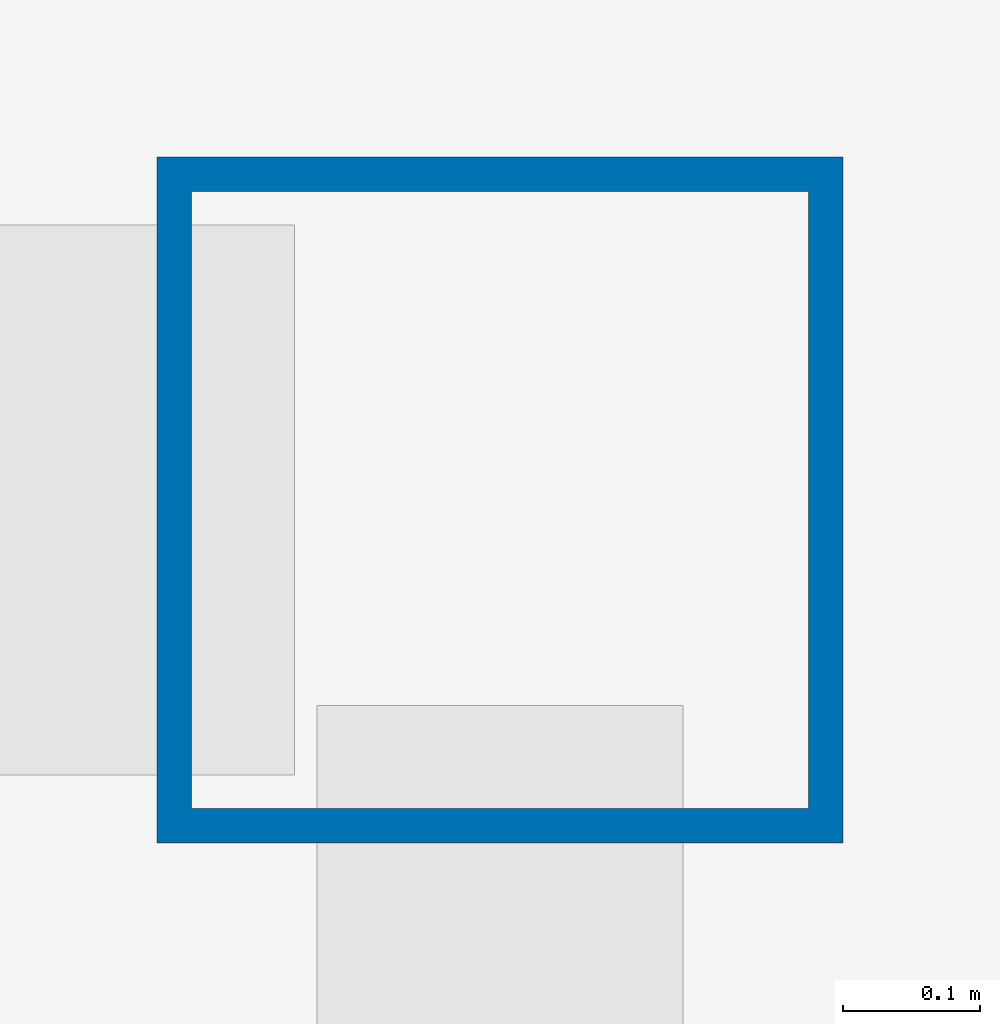
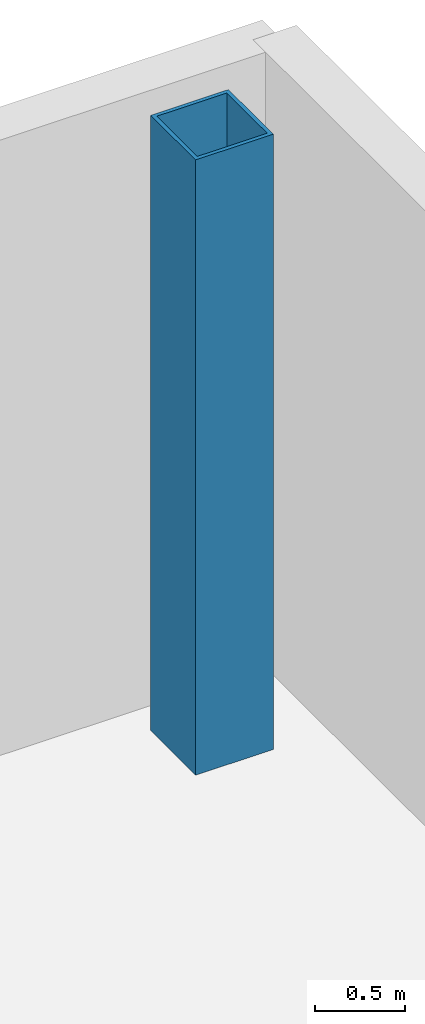
# One storey, part 5 of 26: 1 column.
"""IFC4 building model written with IfcOpenShell, lengths in metres."""

import ifcopenshell
import ifcopenshell.guid

model = None  # the IFC model being written
_history = None  # IfcOwnerHistory: only IFC2X3 demands one
_inside = {}  # id of a spatial element -> (the spatial element, [elements in it])
_under = {}  # id of a project, library or spatial element -> (it, [spatial elements below it])
_declared = {}  # id of a project -> (the project, [libraries it declares])
_typed = {}  # id of a type object -> (the type object, [elements of that type])
_made_of = {}  # id of a material, layer set ... -> (it, [elements and type objects made of it])


def new_model(schema):
    """Start an empty IFC model of exactly this schema.

    Asked for "IFC4X3", IfcOpenShell would pick the latest addendum, in which some entities
    have other attributes; the version numbers below select the first issue.
    IFC2X3 requires an IfcOwnerHistory on every rooted entity: one is made here for all.
    """
    global model, _history
    if schema == "IFC4X3":
        model = ifcopenshell.file(schema_version=(4, 3, 0, 0))
    else:
        model = ifcopenshell.file(schema=schema)
    _inside.clear()
    _under.clear()
    _declared.clear()
    _typed.clear()
    _made_of.clear()
    _history = None
    if model.schema == "IFC2X3":
        org = make("IfcOrganization", Name="unknown")
        user = make(
            "IfcPersonAndOrganization",
            ThePerson=make("IfcPerson", FamilyName="unknown"),
            TheOrganization=org,
        )
        app = make(
            "IfcApplication",
            ApplicationDeveloper=org,
            Version="unknown",
            ApplicationFullName="unknown",
            ApplicationIdentifier="unknown",
        )
        _history = make(
            "IfcOwnerHistory",
            OwningUser=user,
            OwningApplication=app,
            ChangeAction="ADDED",
            CreationDate=0,
        )
    return model


def make(cls, **values):
    """One entity of the class cls with the attributes given. An attribute that is None is left unset."""
    return model.create_entity(
        cls, **{name: value for name, value in values.items() if value is not None}
    )


def rooted(cls, **values):
    """An entity with a GlobalId (a new one), such as an element, a storey or a relation."""
    return make(cls, GlobalId=ifcopenshell.guid.new(), OwnerHistory=_history, **values)


def si_unit(unit_type, name, prefix=None):
    """IfcSIUnit, for example si_unit("LENGTHUNIT", "METRE", prefix="MILLI")."""
    return make("IfcSIUnit", UnitType=unit_type, Prefix=prefix, Name=name)


def assignment(units):
    """IfcUnitAssignment: the units of a project."""
    return None if units is None else make("IfcUnitAssignment", Units=units)


def point(xyz):
    """IfcCartesianPoint."""
    return None if xyz is None else make("IfcCartesianPoint", Coordinates=xyz)


def direction(xyz):
    """IfcDirection."""
    return None if xyz is None else make("IfcDirection", DirectionRatios=xyz)


def frame(location, z_axis=None, x_axis=None):
    """IfcAxis2Placement3D, a coordinate frame: its origin and axes. An axis left out is left unset."""
    return make(
        "IfcAxis2Placement3D",
        Location=point(location),
        Axis=direction(z_axis),
        RefDirection=direction(x_axis),
    )


def frame_2d(location, x_axis=None):
    """IfcAxis2Placement2D, a coordinate frame in the plane: its origin and x axis."""
    return make(
        "IfcAxis2Placement2D", Location=point(location), RefDirection=direction(x_axis)
    )


def origin():
    """The frame at (0, 0, 0) with its axes left unset."""
    return frame((0.0, 0.0, 0.0))


def origin_2d():
    """The frame at (0, 0) in the plane with its x axis left unset."""
    return frame_2d((0.0, 0.0))


def place(relative_to, where):
    """IfcLocalPlacement: puts the frame where relative to a parent placement (None: the world)."""
    return make(
        "IfcLocalPlacement", PlacementRelTo=relative_to, RelativePlacement=where
    )


def context(
    kind, dimensions, precision=None, world=None, true_north=None, identifier=None
):
    """IfcGeometricRepresentationContext, for example the 3D "Model" context."""
    return make(
        "IfcGeometricRepresentationContext",
        ContextIdentifier=identifier,
        ContextType=kind,
        CoordinateSpaceDimension=dimensions,
        Precision=precision,
        WorldCoordinateSystem=world,
        TrueNorth=true_north,
    )


def subcontext(parent, identifier, kind, view, scale=None):
    """IfcGeometricRepresentationSubContext, for example "Body" below "Model"."""
    return make(
        "IfcGeometricRepresentationSubContext",
        ContextIdentifier=identifier,
        ContextType=kind,
        ParentContext=parent,
        TargetScale=scale,
        TargetView=view,
    )


def project(units=None, contexts=None):
    """IfcProject with its units and contexts."""
    return rooted(
        "IfcProject",
        Name="project",
        RepresentationContexts=contexts,
        UnitsInContext=assignment(units),
    )


def spatial(cls, under=None, at=None, **own):
    """A site, building, storey or space (cls), placed at a placement, below another one or the project."""
    s = rooted(cls, ObjectPlacement=at, **own)
    if under is not None:
        _under.setdefault(under.id(), (under, []))[1].append(s)
    return s


def profile(cls, at=None, kind="AREA", **sizes):
    """A parametric profile (cls). Its sizes go by their IFC names, for example OverallWidth=200.0."""
    return make(cls, ProfileType=kind, Position=at, **sizes)


def hollow_rectangle(**sizes):
    """IfcRectangleHollowProfileDef."""
    return profile("IfcRectangleHollowProfileDef", **sizes)


def extrude(swept, where, along, depth):
    """IfcExtrudedAreaSolid: the profile swept, set in the frame where, extruded along a direction by depth."""
    return make(
        "IfcExtrudedAreaSolid",
        SweptArea=swept,
        Position=where,
        ExtrudedDirection=direction(along),
        Depth=depth,
    )


def shape(context_of_items, identifier, shape_type, items):
    """IfcShapeRepresentation: the items that make up one representation, for example the "Body"."""
    return make(
        "IfcShapeRepresentation",
        ContextOfItems=context_of_items,
        RepresentationIdentifier=identifier,
        RepresentationType=shape_type,
        Items=items,
    )


def source(mapping_origin, context_of_items, identifier, shape_type, items):
    """IfcRepresentationMap: a shape defined once, which mapped items show again and again."""
    return make(
        "IfcRepresentationMap",
        MappingOrigin=mapping_origin,
        MappedRepresentation=shape(context_of_items, identifier, shape_type, items),
    )


def transform(
    local_origin,
    x_axis=None,
    y_axis=None,
    z_axis=None,
    scale=None,
    scale2=None,
    scale3=None,
    uniform=True,
):
    """IfcCartesianTransformationOperator3D, or its non-uniform kind. x_axis, y_axis, z_axis: its Axis1, 2, 3."""
    if uniform:
        return make(
            "IfcCartesianTransformationOperator3D",
            Axis1=direction(x_axis),
            Axis2=direction(y_axis),
            LocalOrigin=point(local_origin),
            Scale=scale,
            Axis3=direction(z_axis),
        )
    return make(
        "IfcCartesianTransformationOperator3DnonUniform",
        Axis1=direction(x_axis),
        Axis2=direction(y_axis),
        LocalOrigin=point(local_origin),
        Scale=scale,
        Axis3=direction(z_axis),
        Scale2=scale2,
        Scale3=scale3,
    )


def mapped(mapping_source, mapping_target):
    """IfcMappedItem: shows the shape of a source again, moved by a transform."""
    return make(
        "IfcMappedItem", MappingSource=mapping_source, MappingTarget=mapping_target
    )


def material(Name=None, Category=None):
    """IfcMaterial."""
    return make("IfcMaterial", Name=Name, Category=Category)


def material_profile(
    of_material, cross_section, Name=None, Category=None, Priority=None
):
    """IfcMaterialProfile: a cross section and its material."""
    return make(
        "IfcMaterialProfile",
        Name=Name,
        Material=of_material,
        Profile=cross_section,
        Priority=Priority,
        Category=Category,
    )


def profile_set(profiles, Name=None, composite=None):
    """IfcMaterialProfileSet."""
    return make(
        "IfcMaterialProfileSet",
        Name=Name,
        MaterialProfiles=profiles,
        CompositeProfile=composite,
    )


def made_of(thing, what):
    """Note that an element or type object is made of a material, layer set ...; save() writes the relation."""
    if what is not None:
        _made_of.setdefault(what.id(), (what, []))[1].append(thing)
    return thing


def type_object(cls, material=None, **own):
    """A type object (cls), such as IfcWallType, which elements share."""
    return made_of(rooted(cls, **own), material)


def element(
    cls,
    number,
    at=None,
    inside=None,
    cuts=None,
    type_object=None,
    material=None,
    context=None,
    identifier="Body",
    shape_type=None,
    held_by="IfcProductDefinitionShape",
    body=None,
    shapes=None,
    **own,
):
    """One element of the class cls, such as IfcWall. Its Tag is "e" and its number.

    at: its placement. inside: the storey or other place that contains it. cuts: it is an
    opening in that element (IfcRelVoidsElement). A single representation is given by context,
    identifier, shape_type and body (its items); several are given by shapes. held_by: the class
    of the entity that holds the representations. save() writes the other relations.
    """
    e = rooted(cls, Tag="e%d" % number, ObjectPlacement=at, **own)
    if body is not None:
        shapes = [shape(context, identifier, shape_type, body)]
    if shapes is not None:
        e.Representation = make(held_by, Representations=shapes)
    if inside is not None:
        _inside.setdefault(inside.id(), (inside, []))[1].append(e)
    if cuts is not None:
        rooted(
            "IfcRelVoidsElement", RelatingBuildingElement=cuts, RelatedOpeningElement=e
        )
    if type_object is not None:
        _typed.setdefault(type_object.id(), (type_object, []))[1].append(e)
    return made_of(e, material)


def aggregate(whole, parts):
    """IfcRelAggregates: a whole, such as a stair, and the parts it consists of."""
    return rooted("IfcRelAggregates", RelatingObject=whole, RelatedObjects=parts)


def save(model, path):
    """Write the relations noted so far, then the file.

    IfcRelAggregates (storeys below a building ...), IfcRelContainedInSpatialStructure (elements
    in a storey), IfcRelDefinesByType, IfcRelAssociatesMaterial and IfcRelDeclares: one each for
    every whole, place, type object, material and project.
    """
    for whole, parts in _under.values():
        aggregate(whole, parts)
    for where, things in _inside.values():
        rooted(
            "IfcRelContainedInSpatialStructure",
            RelatedElements=things,
            RelatingStructure=where,
        )
    for kind, things in _typed.values():
        rooted("IfcRelDefinesByType", RelatedObjects=things, RelatingType=kind)
    for what, things in _made_of.values():
        rooted("IfcRelAssociatesMaterial", RelatedObjects=things, RelatingMaterial=what)
    for by, libraries in _declared.values():
        rooted("IfcRelDeclares", RelatingContext=by, RelatedDefinitions=libraries)
    model.write(path)


model = new_model("IFC4")

# Units and contexts
model_context = context("Model", 3, precision=1e-05, world=origin(), true_north=direction((0.0, 1.0)))
body_context = subcontext(model_context, "Body", "Model", "MODEL_VIEW")
ifc_project = project(units=[si_unit("LENGTHUNIT", "METRE"), si_unit("AREAUNIT", "SQUARE_METRE"), si_unit("VOLUMEUNIT", "CUBIC_METRE"), si_unit("PLANEANGLEUNIT", "RADIAN"), si_unit("MASSUNIT", "GRAM", prefix="KILO")], contexts=[model_context])

# Site, building, storey
site_placement = place(None, origin())
site = spatial("IfcSite", under=ifc_project, at=site_placement, CompositionType="ELEMENT")
building_placement = place(site_placement, origin())
building = spatial("IfcBuilding", under=site, at=building_placement, Name="Kolveth Station Tower", CompositionType="ELEMENT")
storey_placement = place(building_placement, frame((0.0, 0.0, 9.0)))
storey = spatial("IfcBuildingStorey", under=building, at=storey_placement, Name="L02", CompositionType="ELEMENT", Elevation=9.0)

# Column
ifc_material = material(Name="Steel S355", Category="steel")
ifc_material_profile = material_profile(ifc_material, hollow_rectangle(XDim=0.5, YDim=0.5, WallThickness=0.02490234375, at=origin_2d()), Name="HSS500x500x25")
ifc_profile_set = profile_set([ifc_material_profile], Name="Steel S355")
column_type = type_object("IfcColumnType", Name="Col_SC2", PredefinedType="COLUMN", material=ifc_profile_set)
shared_shape = source(origin(), body_context, "Body", "SweptSolid", [
    extrude(hollow_rectangle(XDim=0.5, YDim=0.5, WallThickness=0.02490234375, at=origin_2d()), origin(), (0.0, 0.0, 1.0), 4.179931640625),
])
column_placement = place(storey_placement, frame((70.699951171875, 39.75, 0.0), z_axis=(0.0, 0.0, 1.0), x_axis=(1.0, 0.0, 0.0)))
element("IfcColumn", 1, at=column_placement, inside=storey, type_object=column_type, Name="L02 Station Column SE-4-6", PredefinedType="COLUMN", context=body_context, shape_type="MappedRepresentation", body=[
    mapped(shared_shape, transform((0.0, 0.0, 0.0), x_axis=(1.0, 0.0, 0.0), y_axis=(0.0, 1.0, 0.0), z_axis=(0.0, 0.0, 1.0), scale=1.0)),
])

save(model, "model.ifc")
